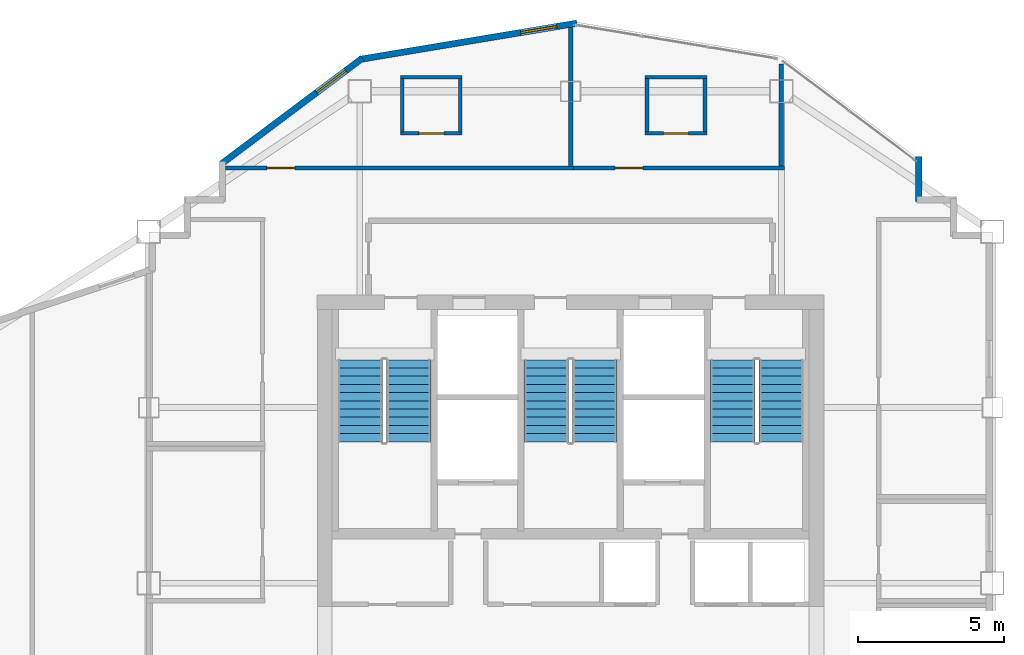
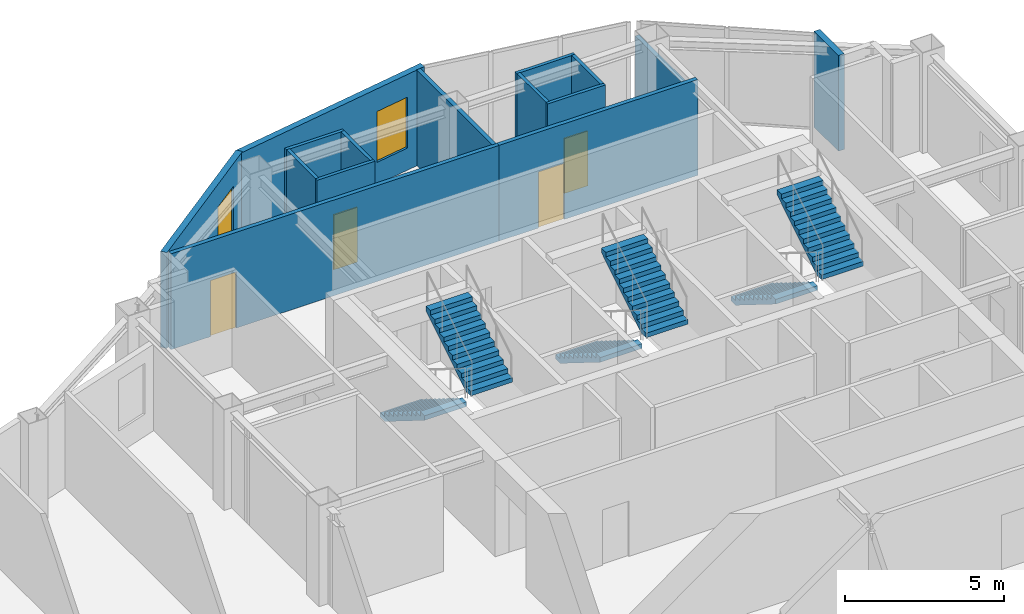
# One storey, part 8 of 9: 15 walls, 6 stair flights, 4 doors, 2 windows, 6 openings, 3 elements without a shape of their own.
"""IFC4 building model written with IfcOpenShell, lengths in metres."""

from ifc_helpers import new_model, si_unit, direction, frame, frame_2d, origin, place, context, subcontext, project, spatial, polyline, rectangle, outline, extrude, material, layer, layer_set, type_object, element, fill, aggregate, save


model = new_model("IFC4")

# Units and contexts
model_context = context("Model", 3, precision=1e-05, world=origin(), true_north=direction((0.0, 1.0)))
body_context = subcontext(model_context, "Body", "Model", "MODEL_VIEW")
ifc_project = project(units=[si_unit("LENGTHUNIT", "METRE"), si_unit("AREAUNIT", "SQUARE_METRE"), si_unit("VOLUMEUNIT", "CUBIC_METRE"), si_unit("PLANEANGLEUNIT", "RADIAN"), si_unit("MASSUNIT", "GRAM", prefix="KILO")], contexts=[model_context])

# Site, building, storey
site_placement = place(None, origin())
site = spatial("IfcSite", under=ifc_project, at=site_placement, CompositionType="ELEMENT")
building_placement = place(site_placement, origin())
building = spatial("IfcBuilding", under=site, at=building_placement, Name="Haolan Belvedere Tower", CompositionType="ELEMENT")
storey_placement = place(building_placement, frame((0.0, 0.0, 269.85009765625)))
storey = spatial("IfcBuildingStorey", under=building, at=storey_placement, Name="L68", CompositionType="ELEMENT", Elevation=269.85009765625)

# Wall
ifc_material_1 = material(Name="Precast concrete C40/50", Category="concrete")
ifc_layer_1 = layer(ifc_material_1, 0.219970703125, Name="Precast concrete C40/50")
ifc_layer_set_1 = layer_set([ifc_layer_1], Name="Precast concrete C40/50")
wall_type_1 = type_object("IfcWallType", Name="WL-EXT-220", PredefinedType="SOLIDWALL", material=ifc_layer_set_1)
wall_1_placement = place(storey_placement, frame((50.2900390625, 46.635009765625, 0.0), z_axis=(0.0, 0.0, 1.0), x_axis=(0.0, 1.0, 0.0)))
element("IfcWall", 1, at=wall_1_placement, inside=storey, type_object=wall_type_1, Name="L68 pale-metal exterior spandrel wall 7.1", PredefinedType="SOLIDWALL", context=body_context, shape_type="SweptSolid", body=[
    extrude(rectangle(XDim=1.534912109375, YDim=0.219970703125, at=frame_2d((0.767578125, 0.0))), origin(), (0.0, 0.0, 1.0), 3.669921875),
])

# Wall, opening, window
wall_2_placement = place(storey_placement, frame((38.621826171875, 52.7255859375, 0.0), z_axis=(0.0, 0.0, 1.0), x_axis=(-0.986390420428, -0.164420006349, 0.0)))
wall_2 = element("IfcWall", 2, at=wall_2_placement, inside=storey, type_object=wall_type_1, Name="L68 pale-metal exterior spandrel wall 10.1", PredefinedType="SOLIDWALL", context=body_context, shape_type="SweptSolid", body=[
    extrude(rectangle(XDim=7.5341796875, YDim=0.219970703125, at=frame_2d((3.76708984375, 0.0))), origin(), (0.0, 0.0, 1.0), 3.669921875),
])
opening_1_placement = place(wall_2_placement, frame((0.699951171875, 0.0, 0.85009765625)))
opening_1 = element("IfcOpeningElement", 3, at=opening_1_placement, cuts=wall_2, Name="Opening W-04", PredefinedType="OPENING", context=body_context, shape_type="SweptSolid", body=[
    extrude(rectangle(XDim=1.25, YDim=1.949951171875, at=frame_2d((0.625, 0.97509765625))), frame((0.0, 0.119873046875, 0.0), z_axis=(0.0, -1.0, 0.0), x_axis=(1.0, 0.0, 0.0)), (0.0, 0.0, 1.0), 0.239990234375),
])
ifc_material_2 = material(Name="Anodised aluminium 6063-T6 and Low-E glass", Category="aluminium")
window_type = type_object("IfcWindowType", Name="WN-DECO-Z4", PartitioningType="SINGLE_PANEL", PredefinedType="WINDOW", material=ifc_material_2)
window_1_placement = place(opening_1_placement, origin())
window_1 = element("IfcWindow", 4, at=window_1_placement, inside=storey, type_object=window_type, Name="L68 Art Deco chevron window 1", OverallHeight=1.949951171875, OverallWidth=1.25, PartitioningType="SINGLE_PANEL", PredefinedType="WINDOW", context=body_context, shape_type="SweptSolid", body=[
    extrude(rectangle(XDim=1.25, YDim=1.949951171875, at=frame_2d((0.625, 0.97509765625))), frame((0.0, 0.030029296875, 0.0), z_axis=(0.0, -1.0, 0.0), x_axis=(1.0, 0.0, 0.0)), (0.0, 0.0, 1.0), 0.06005859375),
])
fill(opening_1, window_1)

wall_3_placement = place(storey_placement, frame((31.28857421875, 51.52880859375, 0.0), z_axis=(0.0, 0.0, 1.0), x_axis=(-0.800014580093, -0.599980559383, 0.0)))
wall_3 = element("IfcWall", 5, at=wall_3_placement, inside=storey, type_object=wall_type_1, Name="L68 pale-metal exterior spandrel wall 11.1", PredefinedType="SOLIDWALL", context=body_context, shape_type="SweptSolid", body=[
    extrude(rectangle(XDim=6.028076171875, YDim=0.219970703125, at=frame_2d((3.01416015625, 0.0))), origin(), (0.0, 0.0, 1.0), 3.669921875),
])
opening_2_placement = place(wall_3_placement, frame((0.699951171875, 0.0, 0.85009765625)))
opening_2 = element("IfcOpeningElement", 6, at=opening_2_placement, cuts=wall_3, Name="Opening W-04", PredefinedType="OPENING", context=body_context, shape_type="SweptSolid", body=[
    extrude(rectangle(XDim=1.25, YDim=1.949951171875, at=frame_2d((0.625, 0.97509765625))), frame((0.0, 0.119873046875, 0.0), z_axis=(0.0, -1.0, 0.0), x_axis=(1.0, 0.0, 0.0)), (0.0, 0.0, 1.0), 0.239990234375),
])
window_2_placement = place(opening_2_placement, origin())
window_2 = element("IfcWindow", 7, at=window_2_placement, inside=storey, type_object=window_type, Name="L68 Art Deco chevron window 1", OverallHeight=1.949951171875, OverallWidth=1.25, PartitioningType="SINGLE_PANEL", PredefinedType="WINDOW", context=body_context, shape_type="SweptSolid", body=[
    extrude(rectangle(XDim=1.25, YDim=1.949951171875, at=frame_2d((0.625, 0.97509765625))), frame((0.0, 0.030029296875, 0.0), z_axis=(0.0, -1.0, 0.0), x_axis=(1.0, 0.0, 0.0)), (0.0, 0.0, 1.0), 0.06005859375),
])
fill(opening_2, window_2)

# Wall, opening, door
ifc_material_3 = material(Name="Double gypsum acoustic stud partition", Category="masonry")
ifc_layer_2 = layer(ifc_material_3, 0.14990234375, Name="Double gypsum acoustic stud partition")
ifc_layer_set_2 = layer_set([ifc_layer_2], Name="Double gypsum acoustic stud partition")
wall_type_2 = type_object("IfcWallType", Name="WL-PART-150", PredefinedType="PARTITIONING", material=ifc_layer_set_2)
wall_4_placement = place(storey_placement, frame((26.612060546875, 47.780029296875, 0.0), z_axis=(0.0, 0.0, 1.0), x_axis=(1.0, 0.0, 0.0)))
wall_4 = element("IfcWall", 8, at=wall_4_placement, inside=storey, type_object=wall_type_2, Name="L68 interior partition IW-L68-KN1-S", PredefinedType="PARTITIONING", context=body_context, shape_type="SweptSolid", body=[
    extrude(rectangle(XDim=11.887939453125, YDim=0.14990234375, at=frame_2d((5.94384765625, 0.0))), origin(), (0.0, 0.0, 1.0), 3.669921875),
])
opening_3_placement = place(wall_4_placement, frame((1.419921875, 0.0, 0.0)))
opening_3 = element("IfcOpeningElement", 9, at=opening_3_placement, cuts=wall_4, Name="Opening ID-02", PredefinedType="OPENING", context=body_context, shape_type="SweptSolid", body=[
    extrude(rectangle(XDim=0.949951171875, YDim=2.14990234375, at=frame_2d((0.47509765625, 1.074951171875))), frame((0.0, 0.0849609375, 0.0), z_axis=(0.0, -1.0, 0.0), x_axis=(1.0, 0.0, 0.0)), (0.0, 0.0, 1.0), 0.169921875),
])
ifc_material_4 = material(Name="Acoustic oak veneer fire-rated timber", Category="wood")
door_type_1 = type_object("IfcDoorType", Name="DR-GUEST-950", OperationType="NOTDEFINED", PredefinedType="DOOR", material=ifc_material_4)
door_1_placement = place(opening_3_placement, origin())
door_1 = element("IfcDoor", 10, at=door_1_placement, inside=storey, type_object=door_type_1, Name="L68 door ID-L68-KN1-ENT", OperationType="SINGLE_SWING_LEFT", OverallHeight=2.14990234375, OverallWidth=0.949951171875, PredefinedType="DOOR", context=body_context, shape_type="SweptSolid", body=[
    extrude(rectangle(XDim=0.949951171875, YDim=2.14990234375, at=frame_2d((0.47509765625, 1.074951171875))), frame((0.0, 0.02490234375, 0.0), z_axis=(0.0, -1.0, 0.0), x_axis=(1.0, 0.0, 0.0)), (0.0, 0.0, 1.0), 0.050048828125),
])
fill(opening_3, door_1)

# Wall
wall_5_placement = place(storey_placement, frame((38.39990234375, 47.840087890625, 0.0), z_axis=(0.0, 0.0, 1.0), x_axis=(0.0, 1.0, 0.0)))
element("IfcWall", 11, at=wall_5_placement, inside=storey, type_object=wall_type_2, Name="L68 interior partition IW-L68-KN1-E", PredefinedType="PARTITIONING", context=body_context, shape_type="SweptSolid", body=[
    extrude(rectangle(XDim=4.7451171875, YDim=0.14990234375, at=frame_2d((2.37255859375, 0.0))), origin(), (0.0, 0.0, 1.0), 3.669921875),
])

# Wall, opening, door
wall_6_placement = place(storey_placement, frame((38.501953125, 47.780029296875, 0.0), z_axis=(0.0, 0.0, 1.0), x_axis=(1.0, 0.0, 0.0)))
wall_6 = element("IfcWall", 12, at=wall_6_placement, inside=storey, type_object=wall_type_2, Name="L68 interior partition IW-L68-KN2-S", PredefinedType="PARTITIONING", context=body_context, shape_type="SweptSolid", body=[
    extrude(rectangle(XDim=7.197998046875, YDim=0.14990234375, at=frame_2d((3.59912109375, 0.0))), origin(), (0.0, 0.0, 1.0), 3.669921875),
])
opening_4_placement = place(wall_6_placement, frame((1.41748046875, 0.0, 0.0)))
opening_4 = element("IfcOpeningElement", 13, at=opening_4_placement, cuts=wall_6, Name="Opening ID-02", PredefinedType="OPENING", context=body_context, shape_type="SweptSolid", body=[
    extrude(rectangle(XDim=0.949951171875, YDim=2.14990234375, at=frame_2d((0.47509765625, 1.074951171875))), frame((0.0, 0.0849609375, 0.0), z_axis=(0.0, -1.0, 0.0), x_axis=(1.0, 0.0, 0.0)), (0.0, 0.0, 1.0), 0.169921875),
])
door_2_placement = place(opening_4_placement, origin())
door_2 = element("IfcDoor", 14, at=door_2_placement, inside=storey, type_object=door_type_1, Name="L68 door ID-L68-KN2-ENT", OperationType="SINGLE_SWING_RIGHT", OverallHeight=2.14990234375, OverallWidth=0.949951171875, PredefinedType="DOOR", context=body_context, shape_type="SweptSolid", body=[
    extrude(rectangle(XDim=0.949951171875, YDim=2.14990234375, at=frame_2d((0.47509765625, 1.074951171875))), frame((0.0, 0.02490234375, 0.0), z_axis=(0.0, -1.0, 0.0), x_axis=(1.0, 0.0, 0.0)), (0.0, 0.0, 1.0), 0.050048828125),
])
fill(opening_4, door_2)

# Walls
wall_7_placement = place(storey_placement, frame((45.60009765625, 47.840087890625, 0.0), z_axis=(0.0, 0.0, 1.0), x_axis=(0.0, 1.0, 0.0)))
element("IfcWall", 15, at=wall_7_placement, inside=storey, type_object=wall_type_2, Name="L68 interior partition IW-L68-KN2-E", PredefinedType="PARTITIONING", context=body_context, shape_type="SweptSolid", body=[
    extrude(rectangle(XDim=3.494873046875, YDim=0.14990234375, at=frame_2d((1.74755859375, 0.0))), origin(), (0.0, 0.0, 1.0), 3.204833984375),
])
ifc_material_5 = material(Name="Moisture-resistant gypsum tile partition", Category="masonry")
ifc_layer_3 = layer(ifc_material_5, 0.1201171875, Name="Moisture-resistant gypsum tile partition")
ifc_layer_set_3 = layer_set([ifc_layer_3], Name="Moisture-resistant gypsum tile partition")
wall_type_3 = type_object("IfcWallType", Name="WL-WET-120", PredefinedType="PARTITIONING", material=ifc_layer_set_3)
wall_8_placement = place(storey_placement, frame((32.595947265625, 50.8798828125, 0.0), z_axis=(0.0, 0.0, 1.0), x_axis=(1.0, 0.0, 0.0)))
element("IfcWall", 16, at=wall_8_placement, inside=storey, type_object=wall_type_3, Name="L68 interior partition IW-L68-KN1-BN", PredefinedType="PARTITIONING", context=body_context, shape_type="SweptSolid", body=[
    extrude(rectangle(XDim=2.10009765625, YDim=0.1201171875, at=frame_2d((1.050048828125, 0.0))), origin(), (0.0, 0.0, 1.0), 3.669921875),
])

# Wall, opening, door
wall_9_placement = place(storey_placement, frame((32.595947265625, 48.9599609375, 0.0), z_axis=(0.0, 0.0, 1.0), x_axis=(1.0, 0.0, 0.0)))
wall_9 = element("IfcWall", 17, at=wall_9_placement, inside=storey, type_object=wall_type_3, Name="L68 interior partition IW-L68-KN1-BS", PredefinedType="PARTITIONING", context=body_context, shape_type="SweptSolid", body=[
    extrude(rectangle(XDim=2.10009765625, YDim=0.1201171875, at=frame_2d((1.050048828125, 0.0))), origin(), (0.0, 0.0, 1.0), 3.669921875),
])
opening_5_placement = place(wall_9_placement, frame((0.625, 0.0, 0.0)))
opening_5 = element("IfcOpeningElement", 18, at=opening_5_placement, cuts=wall_9, Name="Opening ID-05", PredefinedType="OPENING", context=body_context, shape_type="SweptSolid", body=[
    extrude(rectangle(XDim=0.85009765625, YDim=2.10009765625, at=frame_2d((0.425048828125, 1.050048828125))), frame((0.0, 0.070068359375, 0.0), z_axis=(0.0, -1.0, 0.0), x_axis=(1.0, 0.0, 0.0)), (0.0, 0.0, 1.0), 0.14013671875),
])
ifc_material_6 = material(Name="Moisture-resistant lacquered timber", Category="wood")
door_type_2 = type_object("IfcDoorType", Name="DR-BATH-850", OperationType="NOTDEFINED", PredefinedType="DOOR", material=ifc_material_6)
door_3_placement = place(opening_5_placement, origin())
door_3 = element("IfcDoor", 19, at=door_3_placement, inside=storey, type_object=door_type_2, Name="L68 door ID-L68-KN1-BATH", OperationType="SINGLE_SWING_RIGHT", OverallHeight=2.10009765625, OverallWidth=0.85009765625, PredefinedType="DOOR", context=body_context, shape_type="SweptSolid", body=[
    extrude(rectangle(XDim=0.85009765625, YDim=2.10009765625, at=frame_2d((0.425048828125, 1.050048828125))), frame((0.0, 0.02490234375, 0.0), z_axis=(0.0, -1.0, 0.0), x_axis=(1.0, 0.0, 0.0)), (0.0, 0.0, 1.0), 0.050048828125),
])
fill(opening_5, door_3)

# Walls
for number, where, z_axis, x_axis, name in (
    (20, (32.656005859375, 49.0048828125, 0.0), (0.0, 0.0, 1.0), (0.0, 1.0, 0.0), "L68 interior partition IW-L68-KN1-BW"),
    (21, (34.635986328125, 49.0048828125, 0.0), (0.0, 0.0, 1.0), (0.0, 1.0, 0.0), "L68 interior partition IW-L68-KN1-BE"),
):
    element("IfcWall", number, at=place(storey_placement, frame(where, z_axis=z_axis, x_axis=x_axis)), inside=storey, type_object=wall_type_3, Name=name, PredefinedType="PARTITIONING", context=body_context, shape_type="SweptSolid", body=[
        extrude(rectangle(XDim=1.830078125, YDim=0.1201171875, at=frame_2d((0.9150390625, 0.0))), origin(), (0.0, 0.0, 1.0), 3.669921875),
    ])
wall_10_placement = place(storey_placement, frame((40.949951171875, 50.8798828125, 0.0), z_axis=(0.0, 0.0, 1.0), x_axis=(1.0, 0.0, 0.0)))
element("IfcWall", 22, at=wall_10_placement, inside=storey, type_object=wall_type_3, Name="L68 interior partition IW-L68-KN2-BN", PredefinedType="PARTITIONING", context=body_context, shape_type="SweptSolid", body=[
    extrude(rectangle(XDim=2.10009765625, YDim=0.1201171875, at=frame_2d((1.050048828125, 0.0))), origin(), (0.0, 0.0, 1.0), 3.669921875),
])

# Wall, opening, door
wall_11_placement = place(storey_placement, frame((40.949951171875, 48.9599609375, 0.0), z_axis=(0.0, 0.0, 1.0), x_axis=(1.0, 0.0, 0.0)))
wall_11 = element("IfcWall", 23, at=wall_11_placement, inside=storey, type_object=wall_type_3, Name="L68 interior partition IW-L68-KN2-BS", PredefinedType="PARTITIONING", context=body_context, shape_type="SweptSolid", body=[
    extrude(rectangle(XDim=2.10009765625, YDim=0.1201171875, at=frame_2d((1.050048828125, 0.0))), origin(), (0.0, 0.0, 1.0), 3.669921875),
])
opening_6_placement = place(wall_11_placement, frame((0.625, 0.0, 0.0)))
opening_6 = element("IfcOpeningElement", 24, at=opening_6_placement, cuts=wall_11, Name="Opening ID-05", PredefinedType="OPENING", context=body_context, shape_type="SweptSolid", body=[
    extrude(rectangle(XDim=0.85009765625, YDim=2.10009765625, at=frame_2d((0.425048828125, 1.050048828125))), frame((0.0, 0.070068359375, 0.0), z_axis=(0.0, -1.0, 0.0), x_axis=(1.0, 0.0, 0.0)), (0.0, 0.0, 1.0), 0.14013671875),
])
door_4_placement = place(opening_6_placement, origin())
door_4 = element("IfcDoor", 25, at=door_4_placement, inside=storey, type_object=door_type_2, Name="L68 door ID-L68-KN2-BATH", OperationType="SINGLE_SWING_LEFT", OverallHeight=2.10009765625, OverallWidth=0.85009765625, PredefinedType="DOOR", context=body_context, shape_type="SweptSolid", body=[
    extrude(rectangle(XDim=0.85009765625, YDim=2.10009765625, at=frame_2d((0.425048828125, 1.050048828125))), frame((0.0, 0.02490234375, 0.0), z_axis=(0.0, -1.0, 0.0), x_axis=(1.0, 0.0, 0.0)), (0.0, 0.0, 1.0), 0.050048828125),
])
fill(opening_6, door_4)

# Walls
for number, where, z_axis, x_axis, name in (
    (26, (41.010009765625, 49.0048828125, 0.0), (0.0, 0.0, 1.0), (0.0, 1.0, 0.0), "L68 interior partition IW-L68-KN2-BW"),
    (27, (42.989990234375, 49.0048828125, 0.0), (0.0, 0.0, 1.0), (0.0, 1.0, 0.0), "L68 interior partition IW-L68-KN2-BE"),
):
    element("IfcWall", number, at=place(storey_placement, frame(where, z_axis=z_axis, x_axis=x_axis)), inside=storey, type_object=wall_type_3, Name=name, PredefinedType="PARTITIONING", context=body_context, shape_type="SweptSolid", body=[
        extrude(rectangle(XDim=1.830078125, YDim=0.1201171875, at=frame_2d((0.9150390625, 0.0))), origin(), (0.0, 0.0, 1.0), 3.669921875),
    ])

# Stair, stair flights
ifc_material_7 = material(Name="Concrete C40/50", Category="concrete")
stair_type = type_object("IfcStairType", Name="STR-DL-22R-175", PredefinedType="HALF_TURN_STAIR", material=ifc_material_7)
stair_1_placement = place(storey_placement, origin())
stair_1 = element("IfcStair", 28, at=stair_1_placement, inside=storey, type_object=stair_type, Name="L68 Smokeproof Core Exit Stair ST1", PredefinedType="HALF_TURN_STAIR")
stair_flight_type = type_object("IfcStairFlightType", Name="SFL-DL-11R-175", PredefinedType="STRAIGHT", material=ifc_material_7)
stair_flight_1_placement = place(storey_placement, frame((31.2099609375, 41.22998046875, 0.0), z_axis=(0.0, 0.0, 1.0), x_axis=(0.0, -1.0, 0.0)))
stair_flight_1 = element("IfcStairFlight", 29, at=stair_flight_1_placement, type_object=stair_flight_type, Name="ST1 flight 1", NumberOfRisers=11, NumberOfTreads=10, PredefinedType="STRAIGHT", RiserHeight=0.175, TreadLength=0.28, context=body_context, shape_type="SweptSolid", body=[
    extrude(outline(polyline([(0.0, 0.0), (0.0, 0.175048828125), (0.280029296875, 0.175048828125), (0.280029296875, 0.35009765625), (0.56005859375, 0.35009765625), (0.56005859375, 0.52490234375), (0.840087890625, 0.52490234375), (0.840087890625, 0.699951171875), (1.1201171875, 0.699951171875), (1.1201171875, 0.875), (1.39990234375, 0.875), (1.39990234375, 1.050048828125), (1.679931640625, 1.050048828125), (1.679931640625, 1.22509765625), (1.9599609375, 1.22509765625), (1.9599609375, 1.39990234375), (2.239990234375, 1.39990234375), (2.239990234375, 1.574951171875), (2.52001953125, 1.574951171875), (2.52001953125, 1.75), (2.800048828125, 1.75), (2.800048828125, 1.925048828125), (2.800048828125, 1.5732421875), (0.28271484375, 0.0), (0.0, 0.0)])), frame((0.0, 0.760009765625, 0.0), z_axis=(0.0, -1.0, 0.0), x_axis=(1.0, 0.0, 0.0)), (0.0, 0.0, 1.0), 1.52001953125),
])
stair_flight_2_placement = place(storey_placement, frame((32.8701171875, 38.429931640625, 1.9248046875), z_axis=(0.0, 0.0, 1.0), x_axis=(0.0, 1.0, 0.0)))
stair_flight_2 = element("IfcStairFlight", 30, at=stair_flight_2_placement, type_object=stair_flight_type, Name="ST1 flight 2", NumberOfRisers=11, NumberOfTreads=10, PredefinedType="STRAIGHT", RiserHeight=0.175, TreadLength=0.28, context=body_context, shape_type="SweptSolid", body=[
    extrude(outline(polyline([(0.0, 0.0), (0.0, 0.175048828125), (0.280029296875, 0.175048828125), (0.280029296875, 0.35009765625), (0.56005859375, 0.35009765625), (0.56005859375, 0.52490234375), (0.840087890625, 0.52490234375), (0.840087890625, 0.699951171875), (1.1201171875, 0.699951171875), (1.1201171875, 0.875), (1.39990234375, 0.875), (1.39990234375, 1.050048828125), (1.679931640625, 1.050048828125), (1.679931640625, 1.22509765625), (1.9599609375, 1.22509765625), (1.9599609375, 1.39990234375), (2.239990234375, 1.39990234375), (2.239990234375, 1.574951171875), (2.52001953125, 1.574951171875), (2.52001953125, 1.75), (2.800048828125, 1.75), (2.800048828125, 1.925048828125), (2.800048828125, 1.5732421875), (0.28271484375, 0.0), (0.0, 0.0)])), frame((0.0, 0.760009765625, 0.0), z_axis=(0.0, -1.0, 0.0), x_axis=(1.0, 0.0, 0.0)), (0.0, 0.0, 1.0), 1.52001953125),
])
aggregate(stair_1, [stair_flight_1, stair_flight_2])

stair_2_placement = place(storey_placement, origin())
stair_2 = element("IfcStair", 31, at=stair_2_placement, inside=storey, type_object=stair_type, Name="L68 Smokeproof Core Exit Stair ST3", PredefinedType="HALF_TURN_STAIR")
stair_flight_3_placement = place(storey_placement, frame((37.570068359375, 41.22998046875, 0.0), z_axis=(0.0, 0.0, 1.0), x_axis=(0.0, -1.0, 0.0)))
stair_flight_3 = element("IfcStairFlight", 32, at=stair_flight_3_placement, type_object=stair_flight_type, Name="ST3 flight 1", NumberOfRisers=11, NumberOfTreads=10, PredefinedType="STRAIGHT", RiserHeight=0.175, TreadLength=0.28, context=body_context, shape_type="SweptSolid", body=[
    extrude(outline(polyline([(0.0, 0.0), (0.0, 0.175048828125), (0.280029296875, 0.175048828125), (0.280029296875, 0.35009765625), (0.56005859375, 0.35009765625), (0.56005859375, 0.52490234375), (0.840087890625, 0.52490234375), (0.840087890625, 0.699951171875), (1.1201171875, 0.699951171875), (1.1201171875, 0.875), (1.39990234375, 0.875), (1.39990234375, 1.050048828125), (1.679931640625, 1.050048828125), (1.679931640625, 1.22509765625), (1.9599609375, 1.22509765625), (1.9599609375, 1.39990234375), (2.239990234375, 1.39990234375), (2.239990234375, 1.574951171875), (2.52001953125, 1.574951171875), (2.52001953125, 1.75), (2.800048828125, 1.75), (2.800048828125, 1.925048828125), (2.800048828125, 1.5732421875), (0.28271484375, 0.0), (0.0, 0.0)])), frame((0.0, 0.760009765625, 0.0), z_axis=(0.0, -1.0, 0.0), x_axis=(1.0, 0.0, 0.0)), (0.0, 0.0, 1.0), 1.52001953125),
])
stair_flight_4_placement = place(storey_placement, frame((39.22998046875, 38.429931640625, 1.9248046875), z_axis=(0.0, 0.0, 1.0), x_axis=(0.0, 1.0, 0.0)))
stair_flight_4 = element("IfcStairFlight", 33, at=stair_flight_4_placement, type_object=stair_flight_type, Name="ST3 flight 2", NumberOfRisers=11, NumberOfTreads=10, PredefinedType="STRAIGHT", RiserHeight=0.175, TreadLength=0.28, context=body_context, shape_type="SweptSolid", body=[
    extrude(outline(polyline([(0.0, 0.0), (0.0, 0.175048828125), (0.280029296875, 0.175048828125), (0.280029296875, 0.35009765625), (0.56005859375, 0.35009765625), (0.56005859375, 0.52490234375), (0.840087890625, 0.52490234375), (0.840087890625, 0.699951171875), (1.1201171875, 0.699951171875), (1.1201171875, 0.875), (1.39990234375, 0.875), (1.39990234375, 1.050048828125), (1.679931640625, 1.050048828125), (1.679931640625, 1.22509765625), (1.9599609375, 1.22509765625), (1.9599609375, 1.39990234375), (2.239990234375, 1.39990234375), (2.239990234375, 1.574951171875), (2.52001953125, 1.574951171875), (2.52001953125, 1.75), (2.800048828125, 1.75), (2.800048828125, 1.925048828125), (2.800048828125, 1.5732421875), (0.28271484375, 0.0), (0.0, 0.0)])), frame((0.0, 0.760009765625, 0.0), z_axis=(0.0, -1.0, 0.0), x_axis=(1.0, 0.0, 0.0)), (0.0, 0.0, 1.0), 1.52001953125),
])
aggregate(stair_2, [stair_flight_3, stair_flight_4])

stair_3_placement = place(storey_placement, origin())
stair_3 = element("IfcStair", 34, at=stair_3_placement, inside=storey, type_object=stair_type, Name="L68 Smokeproof Core Exit Stair ST2", PredefinedType="HALF_TURN_STAIR")
stair_flight_5_placement = place(storey_placement, frame((43.929931640625, 41.22998046875, 0.0), z_axis=(0.0, 0.0, 1.0), x_axis=(0.0, -1.0, 0.0)))
stair_flight_5 = element("IfcStairFlight", 35, at=stair_flight_5_placement, type_object=stair_flight_type, Name="ST2 flight 1", NumberOfRisers=11, NumberOfTreads=10, PredefinedType="STRAIGHT", RiserHeight=0.175, TreadLength=0.28, context=body_context, shape_type="SweptSolid", body=[
    extrude(outline(polyline([(0.0, 0.0), (0.0, 0.175048828125), (0.280029296875, 0.175048828125), (0.280029296875, 0.35009765625), (0.56005859375, 0.35009765625), (0.56005859375, 0.52490234375), (0.840087890625, 0.52490234375), (0.840087890625, 0.699951171875), (1.1201171875, 0.699951171875), (1.1201171875, 0.875), (1.39990234375, 0.875), (1.39990234375, 1.050048828125), (1.679931640625, 1.050048828125), (1.679931640625, 1.22509765625), (1.9599609375, 1.22509765625), (1.9599609375, 1.39990234375), (2.239990234375, 1.39990234375), (2.239990234375, 1.574951171875), (2.52001953125, 1.574951171875), (2.52001953125, 1.75), (2.800048828125, 1.75), (2.800048828125, 1.925048828125), (2.800048828125, 1.5732421875), (0.28271484375, 0.0), (0.0, 0.0)])), frame((0.0, 0.760009765625, 0.0), z_axis=(0.0, -1.0, 0.0), x_axis=(1.0, 0.0, 0.0)), (0.0, 0.0, 1.0), 1.52001953125),
])
stair_flight_6_placement = place(storey_placement, frame((45.590087890625, 38.429931640625, 1.9248046875), z_axis=(0.0, 0.0, 1.0), x_axis=(0.0, 1.0, 0.0)))
stair_flight_6 = element("IfcStairFlight", 36, at=stair_flight_6_placement, type_object=stair_flight_type, Name="ST2 flight 2", NumberOfRisers=11, NumberOfTreads=10, PredefinedType="STRAIGHT", RiserHeight=0.175, TreadLength=0.28, context=body_context, shape_type="SweptSolid", body=[
    extrude(outline(polyline([(0.0, 0.0), (0.0, 0.175048828125), (0.280029296875, 0.175048828125), (0.280029296875, 0.35009765625), (0.56005859375, 0.35009765625), (0.56005859375, 0.52490234375), (0.840087890625, 0.52490234375), (0.840087890625, 0.699951171875), (1.1201171875, 0.699951171875), (1.1201171875, 0.875), (1.39990234375, 0.875), (1.39990234375, 1.050048828125), (1.679931640625, 1.050048828125), (1.679931640625, 1.22509765625), (1.9599609375, 1.22509765625), (1.9599609375, 1.39990234375), (2.239990234375, 1.39990234375), (2.239990234375, 1.574951171875), (2.52001953125, 1.574951171875), (2.52001953125, 1.75), (2.800048828125, 1.75), (2.800048828125, 1.925048828125), (2.800048828125, 1.5732421875), (0.28271484375, 0.0), (0.0, 0.0)])), frame((0.0, 0.760009765625, 0.0), z_axis=(0.0, -1.0, 0.0), x_axis=(1.0, 0.0, 0.0)), (0.0, 0.0, 1.0), 1.52001953125),
])
aggregate(stair_3, [stair_flight_5, stair_flight_6])

save(model, "model.ifc")
